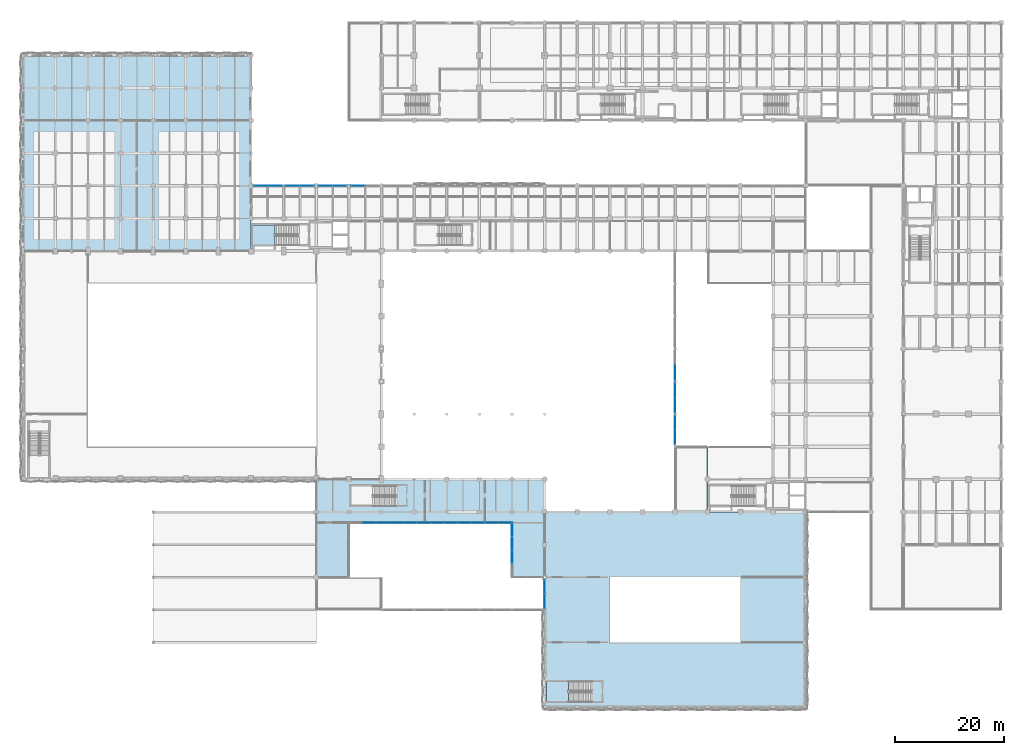
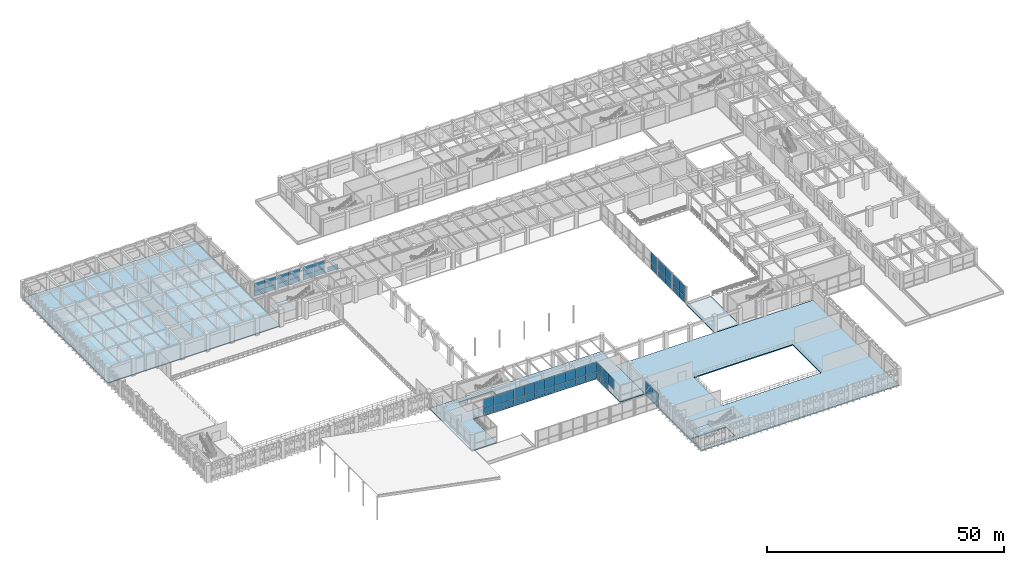
# One storey, part 89 of 133: 54 plates, 6 slabs, 12 elements without a shape of their own.
"""IFC4 building model written with IfcOpenShell, lengths in metres."""

from ifc_helpers import new_model, si_unit, direction, frame, frame_2d, origin, place, context, subcontext, project, spatial, polyline, rectangle, outline, extrude, material, layer, layer_set, type_object, element, aggregate, save


model = new_model("IFC4")

# Units and contexts
model_context = context("Model", 3, precision=1e-05, world=origin(), true_north=direction((0.0, 1.0)))
body_context = subcontext(model_context, "Body", "Model", "MODEL_VIEW")
ifc_project = project(units=[si_unit("LENGTHUNIT", "METRE"), si_unit("AREAUNIT", "SQUARE_METRE"), si_unit("VOLUMEUNIT", "CUBIC_METRE"), si_unit("PLANEANGLEUNIT", "RADIAN"), si_unit("MASSUNIT", "GRAM", prefix="KILO"), si_unit("THERMODYNAMICTEMPERATUREUNIT", "KELVIN"), si_unit("POWERUNIT", "WATT")], contexts=[model_context])

# Site, building, storey
site_placement = place(None, origin())
site = spatial("IfcSite", under=ifc_project, at=site_placement, CompositionType="ELEMENT")
building_placement = place(site_placement, origin())
building = spatial("IfcBuilding", under=site, at=building_placement, Name="Phaisarnlok Congress Hotel", CompositionType="ELEMENT")
storey_placement = place(building_placement, frame((0.0, 0.0, 6.0)))
storey = spatial("IfcBuildingStorey", under=building, at=storey_placement, Name="L01", CompositionType="ELEMENT", Elevation=6.0)

# Curtain wall, plates
ifc_material_1 = material(Name="Thermally Broken Unitised Aluminium & Low-E Glazing", Category="aluminium")
curtain_wall_type_1 = type_object("IfcCurtainWallType", Name="CW-UNIT-08", PredefinedType="NOTDEFINED", material=ifc_material_1)
curtain_wall_1_placement = place(storey_placement, origin())
curtain_wall_1 = element("IfcCurtainWall", 1, at=curtain_wall_1_placement, inside=storey, type_object=curtain_wall_type_1, Name="Unitised curtain wall CW-08 (L01)", PredefinedType="NOTDEFINED")
ifc_material_2 = material(Name="Triple Acoustic Solar-Control Glazing", Category="glass")
ifc_layer_1 = layer(ifc_material_2, 0.035888671875, Name="Triple Acoustic Solar-Control Glazing")
ifc_layer_set_1 = layer_set([ifc_layer_1], Name="Triple Acoustic Solar-Control Glazing")
plate_type = type_object("IfcPlateType", Name="CWP-GLZ-36", PredefinedType="CURTAIN_PANEL", material=ifc_layer_set_1)
plate_1_placement = place(storey_placement, frame((90.0, 33.97998046875, 0.0400390625), z_axis=(0.0, 0.0, 1.0), x_axis=(0.0, -1.0, 0.0)))
plate_1 = element("IfcPlate", 2, at=plate_1_placement, type_object=plate_type, Name="Glazed curtain panel CWP-02", PredefinedType="CURTAIN_PANEL", context=body_context, shape_type="SweptSolid", body=[
    extrude(rectangle(XDim=2.465087890625, YDim=0.028076171875, at=frame_2d((1.232421875, 0.0))), origin(), (0.0, 0.0, 1.0), 1.5634765625),
])
plate_2_placement = place(storey_placement, frame((90.0, 33.97998046875, 1.603515625), z_axis=(0.0, 0.0, 1.0), x_axis=(0.0, -1.0, 0.0)))
plate_2 = element("IfcPlate", 3, at=plate_2_placement, type_object=plate_type, Name="Glazed curtain panel CWP-02", PredefinedType="CURTAIN_PANEL", context=body_context, shape_type="SweptSolid", body=[
    extrude(rectangle(XDim=2.465087890625, YDim=0.028076171875, at=frame_2d((1.232421875, 0.0))), origin(), (0.0, 0.0, 1.0), 2.576416015625),
])
plate_3_placement = place(storey_placement, frame((90.0, 31.485107421875, 0.0400390625), z_axis=(0.0, 0.0, 1.0), x_axis=(0.0, -1.0, 0.0)))
plate_3 = element("IfcPlate", 4, at=plate_3_placement, type_object=plate_type, Name="Glazed curtain panel CWP-02", PredefinedType="CURTAIN_PANEL", context=body_context, shape_type="SweptSolid", body=[
    extrude(rectangle(XDim=2.47021484375, YDim=0.028076171875, at=frame_2d((1.235107421875, 0.0))), origin(), (0.0, 0.0, 1.0), 1.5634765625),
])
plate_4_placement = place(storey_placement, frame((90.0, 31.485107421875, 1.603515625), z_axis=(0.0, 0.0, 1.0), x_axis=(0.0, -1.0, 0.0)))
plate_4 = element("IfcPlate", 5, at=plate_4_placement, type_object=plate_type, Name="Glazed curtain panel CWP-02", PredefinedType="CURTAIN_PANEL", context=body_context, shape_type="SweptSolid", body=[
    extrude(rectangle(XDim=2.47021484375, YDim=0.028076171875, at=frame_2d((1.235107421875, 0.0))), origin(), (0.0, 0.0, 1.0), 2.576416015625),
])
plate_5_placement = place(storey_placement, frame((90.0, 28.985107421875, 1.603515625), z_axis=(0.0, 0.0, 1.0), x_axis=(0.0, -1.0, 0.0)))
plate_5 = element("IfcPlate", 6, at=plate_5_placement, type_object=plate_type, Name="Glazed curtain panel CWP-02", PredefinedType="CURTAIN_PANEL", context=body_context, shape_type="SweptSolid", body=[
    extrude(rectangle(XDim=2.47021484375, YDim=0.028076171875, at=frame_2d((1.235107421875, 0.0))), origin(), (0.0, 0.0, 1.0), 2.576416015625),
])
aggregate(curtain_wall_1, [plate_1, plate_2, plate_3, plate_4, plate_5])

curtain_wall_type_2 = type_object("IfcCurtainWallType", Name="CW-UNIT-10", PredefinedType="NOTDEFINED", material=ifc_material_1)
curtain_wall_2_placement = place(storey_placement, origin())
curtain_wall_2 = element("IfcCurtainWall", 7, at=curtain_wall_2_placement, inside=storey, type_object=curtain_wall_type_2, Name="Unitised curtain wall CW-10 (L01)", PredefinedType="NOTDEFINED")
plate_6_placement = place(storey_placement, frame((96.0, 23.52490234375, 0.0400390625), z_axis=(0.0, 0.0, 1.0), x_axis=(0.0, -1.0, 0.0)))
plate_6 = element("IfcPlate", 8, at=plate_6_placement, type_object=plate_type, Name="Glazed curtain panel CWP-02", PredefinedType="CURTAIN_PANEL", context=body_context, shape_type="SweptSolid", body=[
    extrude(rectangle(XDim=2.63330078125, YDim=0.028076171875, at=frame_2d((1.316650390625, 0.0))), origin(), (0.0, 0.0, 1.0), 1.278564453125),
])
plate_7_placement = place(storey_placement, frame((96.0, 23.52490234375, 1.318603515625), z_axis=(0.0, 0.0, 1.0), x_axis=(0.0, -1.0, 0.0)))
plate_7 = element("IfcPlate", 9, at=plate_7_placement, type_object=plate_type, Name="Glazed curtain panel CWP-02", PredefinedType="CURTAIN_PANEL", context=body_context, shape_type="SweptSolid", body=[
    extrude(rectangle(XDim=2.63330078125, YDim=0.028076171875, at=frame_2d((1.316650390625, 0.0))), origin(), (0.0, 0.0, 1.0), 2.111328125),
])
plate_8_placement = place(storey_placement, frame((96.0, 20.861572265625, 0.0400390625), z_axis=(0.0, 0.0, 1.0), x_axis=(0.0, -1.0, 0.0)))
plate_8 = element("IfcPlate", 10, at=plate_8_placement, type_object=plate_type, Name="Glazed curtain panel CWP-02", PredefinedType="CURTAIN_PANEL", context=body_context, shape_type="SweptSolid", body=[
    extrude(rectangle(XDim=2.63330078125, YDim=0.028076171875, at=frame_2d((1.316650390625, 0.0))), origin(), (0.0, 0.0, 1.0), 1.278564453125),
])
plate_9_placement = place(storey_placement, frame((96.0, 20.861572265625, 1.318603515625), z_axis=(0.0, 0.0, 1.0), x_axis=(0.0, -1.0, 0.0)))
plate_9 = element("IfcPlate", 11, at=plate_9_placement, type_object=plate_type, Name="Glazed curtain panel CWP-02", PredefinedType="CURTAIN_PANEL", context=body_context, shape_type="SweptSolid", body=[
    extrude(rectangle(XDim=2.63330078125, YDim=0.028076171875, at=frame_2d((1.316650390625, 0.0))), origin(), (0.0, 0.0, 1.0), 2.111328125),
])
aggregate(curtain_wall_2, [plate_6, plate_7, plate_8, plate_9])

# Curtain wall, plate
curtain_wall_type_3 = type_object("IfcCurtainWallType", Name="CW-UNIT-15", PredefinedType="NOTDEFINED", material=ifc_material_1)
curtain_wall_3_placement = place(storey_placement, origin())
curtain_wall_3 = element("IfcCurtainWall", 12, at=curtain_wall_3_placement, inside=storey, type_object=curtain_wall_type_3, Name="Unitised curtain wall CW-15 (L01)", PredefinedType="NOTDEFINED")
plate_10_placement = place(storey_placement, frame((62.9599609375, 96.0, 0.0400390625), z_axis=(0.0, 0.0, 1.0), x_axis=(-1.0, 0.0, 0.0)))
plate_10 = element("IfcPlate", 13, at=plate_10_placement, type_object=plate_type, Name="Glazed curtain panel CWP-02", PredefinedType="CURTAIN_PANEL", context=body_context, shape_type="SweptSolid", body=[
    extrude(rectangle(XDim=2.56005859375, YDim=0.028076171875, at=frame_2d((1.280029296875, 0.0))), origin(), (0.0, 0.0, 1.0), 1.278564453125),
])
aggregate(curtain_wall_3, [plate_10])

# Curtain wall, plates
curtain_wall_4_placement = place(storey_placement, origin())
curtain_wall_4 = element("IfcCurtainWall", 14, at=curtain_wall_4_placement, inside=storey, type_object=curtain_wall_type_3, Name="Unitised curtain wall CW-15 (L01)", PredefinedType="NOTDEFINED")
plate_11_placement = place(storey_placement, frame((59.60009765625, 96.0, 0.0400390625), z_axis=(0.0, 0.0, 1.0), x_axis=(-1.0, 0.0, 0.0)))
plate_11 = element("IfcPlate", 15, at=plate_11_placement, type_object=plate_type, Name="Glazed curtain panel CWP-02", PredefinedType="CURTAIN_PANEL", context=body_context, shape_type="SweptSolid", body=[
    extrude(rectangle(XDim=2.572509765625, YDim=0.028076171875, at=frame_2d((1.2861328125, 0.0))), origin(), (0.0, 0.0, 1.0), 1.278564453125),
])
plate_12_placement = place(storey_placement, frame((59.60009765625, 96.0, 1.318603515625), z_axis=(0.0, 0.0, 1.0), x_axis=(-1.0, 0.0, 0.0)))
plate_12 = element("IfcPlate", 16, at=plate_12_placement, type_object=plate_type, Name="Glazed curtain panel CWP-02", PredefinedType="CURTAIN_PANEL", context=body_context, shape_type="SweptSolid", body=[
    extrude(rectangle(XDim=2.572509765625, YDim=0.028076171875, at=frame_2d((1.2861328125, 0.0))), origin(), (0.0, 0.0, 1.0), 2.111328125),
])
plate_13_placement = place(storey_placement, frame((56.99755859375, 96.0, 0.0400390625), z_axis=(0.0, 0.0, 1.0), x_axis=(-1.0, 0.0, 0.0)))
plate_13 = element("IfcPlate", 17, at=plate_13_placement, type_object=plate_type, Name="Glazed curtain panel CWP-02", PredefinedType="CURTAIN_PANEL", context=body_context, shape_type="SweptSolid", body=[
    extrude(rectangle(XDim=2.572509765625, YDim=0.028076171875, at=frame_2d((1.2861328125, 0.0))), origin(), (0.0, 0.0, 1.0), 1.278564453125),
])
plate_14_placement = place(storey_placement, frame((56.99755859375, 96.0, 1.318603515625), z_axis=(0.0, 0.0, 1.0), x_axis=(-1.0, 0.0, 0.0)))
plate_14 = element("IfcPlate", 18, at=plate_14_placement, type_object=plate_type, Name="Glazed curtain panel CWP-02", PredefinedType="CURTAIN_PANEL", context=body_context, shape_type="SweptSolid", body=[
    extrude(rectangle(XDim=2.572509765625, YDim=0.028076171875, at=frame_2d((1.2861328125, 0.0))), origin(), (0.0, 0.0, 1.0), 2.111328125),
])
aggregate(curtain_wall_4, [plate_11, plate_12, plate_13, plate_14])

curtain_wall_type_4 = type_object("IfcCurtainWallType", Name="CW-UNIT-14", PredefinedType="NOTDEFINED", material=ifc_material_1)
curtain_wall_5_placement = place(storey_placement, origin())
curtain_wall_5 = element("IfcCurtainWall", 19, at=curtain_wall_5_placement, inside=storey, type_object=curtain_wall_type_4, Name="Unitised curtain wall CW-14 (L01)", PredefinedType="NOTDEFINED")
plate_15_placement = place(storey_placement, frame((53.574951171875, 96.0, 0.0400390625), z_axis=(0.0, 0.0, 1.0), x_axis=(-1.0, 0.0, 0.0)))
plate_15 = element("IfcPlate", 20, at=plate_15_placement, type_object=plate_type, Name="Glazed curtain panel CWP-02", PredefinedType="CURTAIN_PANEL", context=body_context, shape_type="SweptSolid", body=[
    extrude(rectangle(XDim=2.65966796875, YDim=0.028076171875, at=frame_2d((1.329833984375, 0.0))), origin(), (0.0, 0.0, 1.0), 1.278564453125),
])
plate_16_placement = place(storey_placement, frame((53.574951171875, 96.0, 1.318603515625), z_axis=(0.0, 0.0, 1.0), x_axis=(-1.0, 0.0, 0.0)))
plate_16 = element("IfcPlate", 21, at=plate_16_placement, type_object=plate_type, Name="Glazed curtain panel CWP-02", PredefinedType="CURTAIN_PANEL", context=body_context, shape_type="SweptSolid", body=[
    extrude(rectangle(XDim=2.65966796875, YDim=0.028076171875, at=frame_2d((1.329833984375, 0.0))), origin(), (0.0, 0.0, 1.0), 2.111328125),
])
plate_17_placement = place(storey_placement, frame((50.88525390625, 96.0, 0.0400390625), z_axis=(0.0, 0.0, 1.0), x_axis=(-1.0, 0.0, 0.0)))
plate_17 = element("IfcPlate", 22, at=plate_17_placement, type_object=plate_type, Name="Glazed curtain panel CWP-02", PredefinedType="CURTAIN_PANEL", context=body_context, shape_type="SweptSolid", body=[
    extrude(rectangle(XDim=2.65966796875, YDim=0.028076171875, at=frame_2d((1.329833984375, 0.0))), origin(), (0.0, 0.0, 1.0), 1.278564453125),
])
plate_18_placement = place(storey_placement, frame((50.88525390625, 96.0, 1.318603515625), z_axis=(0.0, 0.0, 1.0), x_axis=(-1.0, 0.0, 0.0)))
plate_18 = element("IfcPlate", 23, at=plate_18_placement, type_object=plate_type, Name="Glazed curtain panel CWP-02", PredefinedType="CURTAIN_PANEL", context=body_context, shape_type="SweptSolid", body=[
    extrude(rectangle(XDim=2.65966796875, YDim=0.028076171875, at=frame_2d((1.329833984375, 0.0))), origin(), (0.0, 0.0, 1.0), 2.111328125),
])
aggregate(curtain_wall_5, [plate_15, plate_16, plate_17, plate_18])

curtain_wall_type_5 = type_object("IfcCurtainWallType", Name="CW-UNIT-13", PredefinedType="NOTDEFINED", material=ifc_material_1)
curtain_wall_6_placement = place(storey_placement, origin())
curtain_wall_6 = element("IfcCurtainWall", 24, at=curtain_wall_6_placement, inside=storey, type_object=curtain_wall_type_5, Name="Unitised curtain wall CW-13 (L01)", PredefinedType="NOTDEFINED")
plate_19_placement = place(storey_placement, frame((47.7744140625, 96.0, 0.0400390625), z_axis=(0.0, 0.0, 1.0), x_axis=(-1.0, 0.0, 0.0)))
plate_19 = element("IfcPlate", 25, at=plate_19_placement, type_object=plate_type, Name="Glazed curtain panel CWP-02", PredefinedType="CURTAIN_PANEL", context=body_context, shape_type="SweptSolid", body=[
    extrude(rectangle(XDim=2.609619140625, YDim=0.028076171875, at=frame_2d((1.3046875, 0.0))), origin(), (0.0, 0.0, 1.0), 1.278564453125),
])
plate_20_placement = place(storey_placement, frame((47.7744140625, 96.0, 1.318603515625), z_axis=(0.0, 0.0, 1.0), x_axis=(-1.0, 0.0, 0.0)))
plate_20 = element("IfcPlate", 26, at=plate_20_placement, type_object=plate_type, Name="Glazed curtain panel CWP-02", PredefinedType="CURTAIN_PANEL", context=body_context, shape_type="SweptSolid", body=[
    extrude(rectangle(XDim=2.609619140625, YDim=0.028076171875, at=frame_2d((1.3046875, 0.0))), origin(), (0.0, 0.0, 1.0), 2.111328125),
])
plate_21_placement = place(storey_placement, frame((45.134765625, 96.0, 0.0400390625), z_axis=(0.0, 0.0, 1.0), x_axis=(-1.0, 0.0, 0.0)))
plate_21 = element("IfcPlate", 27, at=plate_21_placement, type_object=plate_type, Name="Glazed curtain panel CWP-02", PredefinedType="CURTAIN_PANEL", context=body_context, shape_type="SweptSolid", body=[
    extrude(rectangle(XDim=2.60986328125, YDim=0.028076171875, at=frame_2d((1.304931640625, 0.0))), origin(), (0.0, 0.0, 1.0), 1.278564453125),
])
plate_22_placement = place(storey_placement, frame((45.134765625, 96.0, 1.318603515625), z_axis=(0.0, 0.0, 1.0), x_axis=(-1.0, 0.0, 0.0)))
plate_22 = element("IfcPlate", 28, at=plate_22_placement, type_object=plate_type, Name="Glazed curtain panel CWP-02", PredefinedType="CURTAIN_PANEL", context=body_context, shape_type="SweptSolid", body=[
    extrude(rectangle(XDim=2.60986328125, YDim=0.028076171875, at=frame_2d((1.304931640625, 0.0))), origin(), (0.0, 0.0, 1.0), 2.111328125),
])
aggregate(curtain_wall_6, [plate_19, plate_20, plate_21, plate_22])

curtain_wall_type_6 = type_object("IfcCurtainWallType", Name="CW-UNIT-22", PredefinedType="NOTDEFINED", material=ifc_material_1)
curtain_wall_7_placement = place(storey_placement, origin())
curtain_wall_7 = element("IfcCurtainWall", 29, at=curtain_wall_7_placement, inside=storey, type_object=curtain_wall_type_6, Name="Unitised curtain wall CW-22 (L01)", PredefinedType="NOTDEFINED")
plate_23_placement = place(storey_placement, frame((62.514892578125, 34.0, 0.0400390625), z_axis=(0.0, 0.0, 1.0), x_axis=(1.0, 0.0, 0.0)))
plate_23 = element("IfcPlate", 30, at=plate_23_placement, type_object=plate_type, Name="Glazed curtain panel CWP-02", PredefinedType="CURTAIN_PANEL", context=body_context, shape_type="SweptSolid", body=[
    extrude(rectangle(XDim=2.47021484375, YDim=0.028076171875, at=frame_2d((1.235107421875, 0.0))), origin(), (0.0, 0.0, 1.0), 1.5634765625),
])
plate_24_placement = place(storey_placement, frame((62.514892578125, 34.0, 1.603515625), z_axis=(0.0, 0.0, 1.0), x_axis=(1.0, 0.0, 0.0)))
plate_24 = element("IfcPlate", 31, at=plate_24_placement, type_object=plate_type, Name="Glazed curtain panel CWP-02", PredefinedType="CURTAIN_PANEL", context=body_context, shape_type="SweptSolid", body=[
    extrude(rectangle(XDim=2.47021484375, YDim=0.028076171875, at=frame_2d((1.235107421875, 0.0))), origin(), (0.0, 0.0, 1.0), 2.576416015625),
])
plate_25_placement = place(storey_placement, frame((65.014892578125, 34.0, 0.0400390625), z_axis=(0.0, 0.0, 1.0), x_axis=(1.0, 0.0, 0.0)))
plate_25 = element("IfcPlate", 32, at=plate_25_placement, type_object=plate_type, Name="Glazed curtain panel CWP-02", PredefinedType="CURTAIN_PANEL", context=body_context, shape_type="SweptSolid", body=[
    extrude(rectangle(XDim=2.47021484375, YDim=0.028076171875, at=frame_2d((1.235107421875, 0.0))), origin(), (0.0, 0.0, 1.0), 1.5634765625),
])
plate_26_placement = place(storey_placement, frame((65.014892578125, 34.0, 1.603515625), z_axis=(0.0, 0.0, 1.0), x_axis=(1.0, 0.0, 0.0)))
plate_26 = element("IfcPlate", 33, at=plate_26_placement, type_object=plate_type, Name="Glazed curtain panel CWP-02", PredefinedType="CURTAIN_PANEL", context=body_context, shape_type="SweptSolid", body=[
    extrude(rectangle(XDim=2.47021484375, YDim=0.028076171875, at=frame_2d((1.235107421875, 0.0))), origin(), (0.0, 0.0, 1.0), 2.576416015625),
])
plate_27_placement = place(storey_placement, frame((67.514892578125, 34.0, 0.0400390625), z_axis=(0.0, 0.0, 1.0), x_axis=(1.0, 0.0, 0.0)))
plate_27 = element("IfcPlate", 34, at=plate_27_placement, type_object=plate_type, Name="Glazed curtain panel CWP-02", PredefinedType="CURTAIN_PANEL", context=body_context, shape_type="SweptSolid", body=[
    extrude(rectangle(XDim=2.47021484375, YDim=0.028076171875, at=frame_2d((1.235107421875, 0.0))), origin(), (0.0, 0.0, 1.0), 1.5634765625),
])
plate_28_placement = place(storey_placement, frame((67.514892578125, 34.0, 1.603515625), z_axis=(0.0, 0.0, 1.0), x_axis=(1.0, 0.0, 0.0)))
plate_28 = element("IfcPlate", 35, at=plate_28_placement, type_object=plate_type, Name="Glazed curtain panel CWP-02", PredefinedType="CURTAIN_PANEL", context=body_context, shape_type="SweptSolid", body=[
    extrude(rectangle(XDim=2.47021484375, YDim=0.028076171875, at=frame_2d((1.235107421875, 0.0))), origin(), (0.0, 0.0, 1.0), 2.576416015625),
])
plate_29_placement = place(storey_placement, frame((70.014892578125, 34.0, 0.0400390625), z_axis=(0.0, 0.0, 1.0), x_axis=(1.0, 0.0, 0.0)))
plate_29 = element("IfcPlate", 36, at=plate_29_placement, type_object=plate_type, Name="Glazed curtain panel CWP-02", PredefinedType="CURTAIN_PANEL", context=body_context, shape_type="SweptSolid", body=[
    extrude(rectangle(XDim=2.47021484375, YDim=0.028076171875, at=frame_2d((1.235107421875, 0.0))), origin(), (0.0, 0.0, 1.0), 1.5634765625),
])
plate_30_placement = place(storey_placement, frame((70.014892578125, 34.0, 1.603515625), z_axis=(0.0, 0.0, 1.0), x_axis=(1.0, 0.0, 0.0)))
plate_30 = element("IfcPlate", 37, at=plate_30_placement, type_object=plate_type, Name="Glazed curtain panel CWP-02", PredefinedType="CURTAIN_PANEL", context=body_context, shape_type="SweptSolid", body=[
    extrude(rectangle(XDim=2.47021484375, YDim=0.028076171875, at=frame_2d((1.235107421875, 0.0))), origin(), (0.0, 0.0, 1.0), 2.576416015625),
])
plate_31_placement = place(storey_placement, frame((72.514892578125, 34.0, 0.0400390625), z_axis=(0.0, 0.0, 1.0), x_axis=(1.0, 0.0, 0.0)))
plate_31 = element("IfcPlate", 38, at=plate_31_placement, type_object=plate_type, Name="Glazed curtain panel CWP-02", PredefinedType="CURTAIN_PANEL", context=body_context, shape_type="SweptSolid", body=[
    extrude(rectangle(XDim=2.47021484375, YDim=0.028076171875, at=frame_2d((1.235107421875, 0.0))), origin(), (0.0, 0.0, 1.0), 1.5634765625),
])
plate_32_placement = place(storey_placement, frame((72.514892578125, 34.0, 1.603515625), z_axis=(0.0, 0.0, 1.0), x_axis=(1.0, 0.0, 0.0)))
plate_32 = element("IfcPlate", 39, at=plate_32_placement, type_object=plate_type, Name="Glazed curtain panel CWP-02", PredefinedType="CURTAIN_PANEL", context=body_context, shape_type="SweptSolid", body=[
    extrude(rectangle(XDim=2.47021484375, YDim=0.028076171875, at=frame_2d((1.235107421875, 0.0))), origin(), (0.0, 0.0, 1.0), 2.576416015625),
])
plate_33_placement = place(storey_placement, frame((75.014892578125, 34.0, 0.0400390625), z_axis=(0.0, 0.0, 1.0), x_axis=(1.0, 0.0, 0.0)))
plate_33 = element("IfcPlate", 40, at=plate_33_placement, type_object=plate_type, Name="Glazed curtain panel CWP-02", PredefinedType="CURTAIN_PANEL", context=body_context, shape_type="SweptSolid", body=[
    extrude(rectangle(XDim=2.47021484375, YDim=0.028076171875, at=frame_2d((1.235107421875, 0.0))), origin(), (0.0, 0.0, 1.0), 1.5634765625),
])
plate_34_placement = place(storey_placement, frame((75.014892578125, 34.0, 1.603515625), z_axis=(0.0, 0.0, 1.0), x_axis=(1.0, 0.0, 0.0)))
plate_34 = element("IfcPlate", 41, at=plate_34_placement, type_object=plate_type, Name="Glazed curtain panel CWP-02", PredefinedType="CURTAIN_PANEL", context=body_context, shape_type="SweptSolid", body=[
    extrude(rectangle(XDim=2.47021484375, YDim=0.028076171875, at=frame_2d((1.235107421875, 0.0))), origin(), (0.0, 0.0, 1.0), 2.576416015625),
])
plate_35_placement = place(storey_placement, frame((77.514892578125, 34.0, 0.0400390625), z_axis=(0.0, 0.0, 1.0), x_axis=(1.0, 0.0, 0.0)))
plate_35 = element("IfcPlate", 42, at=plate_35_placement, type_object=plate_type, Name="Glazed curtain panel CWP-02", PredefinedType="CURTAIN_PANEL", context=body_context, shape_type="SweptSolid", body=[
    extrude(rectangle(XDim=2.47021484375, YDim=0.028076171875, at=frame_2d((1.235107421875, 0.0))), origin(), (0.0, 0.0, 1.0), 1.5634765625),
])
plate_36_placement = place(storey_placement, frame((77.514892578125, 34.0, 1.603515625), z_axis=(0.0, 0.0, 1.0), x_axis=(1.0, 0.0, 0.0)))
plate_36 = element("IfcPlate", 43, at=plate_36_placement, type_object=plate_type, Name="Glazed curtain panel CWP-02", PredefinedType="CURTAIN_PANEL", context=body_context, shape_type="SweptSolid", body=[
    extrude(rectangle(XDim=2.47021484375, YDim=0.028076171875, at=frame_2d((1.235107421875, 0.0))), origin(), (0.0, 0.0, 1.0), 2.576416015625),
])
plate_37_placement = place(storey_placement, frame((80.014892578125, 34.0, 0.0400390625), z_axis=(0.0, 0.0, 1.0), x_axis=(1.0, 0.0, 0.0)))
plate_37 = element("IfcPlate", 44, at=plate_37_placement, type_object=plate_type, Name="Glazed curtain panel CWP-02", PredefinedType="CURTAIN_PANEL", context=body_context, shape_type="SweptSolid", body=[
    extrude(rectangle(XDim=2.47021484375, YDim=0.028076171875, at=frame_2d((1.235107421875, 0.0))), origin(), (0.0, 0.0, 1.0), 1.5634765625),
])
plate_38_placement = place(storey_placement, frame((80.014892578125, 34.0, 1.603515625), z_axis=(0.0, 0.0, 1.0), x_axis=(1.0, 0.0, 0.0)))
plate_38 = element("IfcPlate", 45, at=plate_38_placement, type_object=plate_type, Name="Glazed curtain panel CWP-02", PredefinedType="CURTAIN_PANEL", context=body_context, shape_type="SweptSolid", body=[
    extrude(rectangle(XDim=2.47021484375, YDim=0.028076171875, at=frame_2d((1.235107421875, 0.0))), origin(), (0.0, 0.0, 1.0), 2.576416015625),
])
plate_39_placement = place(storey_placement, frame((82.514892578125, 34.0, 0.0400390625), z_axis=(0.0, 0.0, 1.0), x_axis=(1.0, 0.0, 0.0)))
plate_39 = element("IfcPlate", 46, at=plate_39_placement, type_object=plate_type, Name="Glazed curtain panel CWP-02", PredefinedType="CURTAIN_PANEL", context=body_context, shape_type="SweptSolid", body=[
    extrude(rectangle(XDim=2.47021484375, YDim=0.028076171875, at=frame_2d((1.235107421875, 0.0))), origin(), (0.0, 0.0, 1.0), 1.5634765625),
])
plate_40_placement = place(storey_placement, frame((82.514892578125, 34.0, 1.603515625), z_axis=(0.0, 0.0, 1.0), x_axis=(1.0, 0.0, 0.0)))
plate_40 = element("IfcPlate", 47, at=plate_40_placement, type_object=plate_type, Name="Glazed curtain panel CWP-02", PredefinedType="CURTAIN_PANEL", context=body_context, shape_type="SweptSolid", body=[
    extrude(rectangle(XDim=2.47021484375, YDim=0.028076171875, at=frame_2d((1.235107421875, 0.0))), origin(), (0.0, 0.0, 1.0), 2.576416015625),
])
plate_41_placement = place(storey_placement, frame((85.014892578125, 34.0, 0.0400390625), z_axis=(0.0, 0.0, 1.0), x_axis=(1.0, 0.0, 0.0)))
plate_41 = element("IfcPlate", 48, at=plate_41_placement, type_object=plate_type, Name="Glazed curtain panel CWP-02", PredefinedType="CURTAIN_PANEL", context=body_context, shape_type="SweptSolid", body=[
    extrude(rectangle(XDim=2.47021484375, YDim=0.028076171875, at=frame_2d((1.235107421875, 0.0))), origin(), (0.0, 0.0, 1.0), 1.5634765625),
])
plate_42_placement = place(storey_placement, frame((85.014892578125, 34.0, 1.603515625), z_axis=(0.0, 0.0, 1.0), x_axis=(1.0, 0.0, 0.0)))
plate_42 = element("IfcPlate", 49, at=plate_42_placement, type_object=plate_type, Name="Glazed curtain panel CWP-02", PredefinedType="CURTAIN_PANEL", context=body_context, shape_type="SweptSolid", body=[
    extrude(rectangle(XDim=2.47021484375, YDim=0.028076171875, at=frame_2d((1.235107421875, 0.0))), origin(), (0.0, 0.0, 1.0), 2.576416015625),
])
plate_43_placement = place(storey_placement, frame((87.514892578125, 34.0, 0.0400390625), z_axis=(0.0, 0.0, 1.0), x_axis=(1.0, 0.0, 0.0)))
plate_43 = element("IfcPlate", 50, at=plate_43_placement, type_object=plate_type, Name="Glazed curtain panel CWP-02", PredefinedType="CURTAIN_PANEL", context=body_context, shape_type="SweptSolid", body=[
    extrude(rectangle(XDim=2.465087890625, YDim=0.028076171875, at=frame_2d((1.232421875, 0.0))), origin(), (0.0, 0.0, 1.0), 1.5634765625),
])
plate_44_placement = place(storey_placement, frame((87.514892578125, 34.0, 1.603515625), z_axis=(0.0, 0.0, 1.0), x_axis=(1.0, 0.0, 0.0)))
plate_44 = element("IfcPlate", 51, at=plate_44_placement, type_object=plate_type, Name="Glazed curtain panel CWP-02", PredefinedType="CURTAIN_PANEL", context=body_context, shape_type="SweptSolid", body=[
    extrude(rectangle(XDim=2.465087890625, YDim=0.028076171875, at=frame_2d((1.232421875, 0.0))), origin(), (0.0, 0.0, 1.0), 2.576416015625),
])
aggregate(curtain_wall_7, [plate_23, plate_24, plate_25, plate_26, plate_27, plate_28, plate_29, plate_30, plate_31, plate_32, plate_33, plate_34, plate_35, plate_36, plate_37, plate_38, plate_39, plate_40, plate_41, plate_42, plate_43, plate_44])

curtain_wall_type_7 = type_object("IfcCurtainWallType", Name="CW-UNIT-40", PredefinedType="NOTDEFINED", material=ifc_material_1)
curtain_wall_8_placement = place(storey_placement, origin())
curtain_wall_8 = element("IfcCurtainWall", 52, at=curtain_wall_8_placement, inside=storey, type_object=curtain_wall_type_7, Name="Unitised curtain wall CW-40 (L01)", PredefinedType="NOTDEFINED")
plate_45_placement = place(storey_placement, frame((120.0, 53.739990234375, 0.02001953125), z_axis=(0.0, 0.0, 1.0), x_axis=(0.0, -1.0, 0.0)))
plate_45 = element("IfcPlate", 53, at=plate_45_placement, type_object=plate_type, Name="Glazed curtain panel CWP-02", PredefinedType="CURTAIN_PANEL", context=body_context, shape_type="SweptSolid", body=[
    extrude(rectangle(XDim=2.614990234375, YDim=0.028076171875, at=frame_2d((1.3076171875, 0.0))), origin(), (0.0, 0.0, 1.0), 1.681396484375),
])
plate_46_placement = place(storey_placement, frame((120.0, 53.739990234375, 1.701416015625), z_axis=(0.0, 0.0, 1.0), x_axis=(0.0, -1.0, 0.0)))
plate_46 = element("IfcPlate", 54, at=plate_46_placement, type_object=plate_type, Name="Glazed curtain panel CWP-02", PredefinedType="CURTAIN_PANEL", context=body_context, shape_type="SweptSolid", body=[
    extrude(rectangle(XDim=2.614990234375, YDim=0.028076171875, at=frame_2d((1.3076171875, 0.0))), origin(), (0.0, 0.0, 1.0), 2.7685546875),
])
plate_47_placement = place(storey_placement, frame((120.0, 51.094970703125, 0.02001953125), z_axis=(0.0, 0.0, 1.0), x_axis=(0.0, -1.0, 0.0)))
plate_47 = element("IfcPlate", 55, at=plate_47_placement, type_object=plate_type, Name="Glazed curtain panel CWP-02", PredefinedType="CURTAIN_PANEL", context=body_context, shape_type="SweptSolid", body=[
    extrude(rectangle(XDim=2.614990234375, YDim=0.028076171875, at=frame_2d((1.3076171875, 0.0))), origin(), (0.0, 0.0, 1.0), 1.681396484375),
])
plate_48_placement = place(storey_placement, frame((120.0, 51.094970703125, 1.701416015625), z_axis=(0.0, 0.0, 1.0), x_axis=(0.0, -1.0, 0.0)))
plate_48 = element("IfcPlate", 56, at=plate_48_placement, type_object=plate_type, Name="Glazed curtain panel CWP-02", PredefinedType="CURTAIN_PANEL", context=body_context, shape_type="SweptSolid", body=[
    extrude(rectangle(XDim=2.614990234375, YDim=0.028076171875, at=frame_2d((1.3076171875, 0.0))), origin(), (0.0, 0.0, 1.0), 2.7685546875),
])
aggregate(curtain_wall_8, [plate_45, plate_46, plate_47, plate_48])

curtain_wall_type_8 = type_object("IfcCurtainWallType", Name="CW-UNIT-43", PredefinedType="NOTDEFINED", material=ifc_material_1)
curtain_wall_9_placement = place(storey_placement, origin())
curtain_wall_9 = element("IfcCurtainWall", 57, at=curtain_wall_9_placement, inside=storey, type_object=curtain_wall_type_8, Name="Unitised curtain wall CW-43 (L01)", PredefinedType="NOTDEFINED")
plate_49_placement = place(storey_placement, frame((120.0, 59.739990234375, 0.02001953125), z_axis=(0.0, 0.0, 1.0), x_axis=(0.0, -1.0, 0.0)))
plate_49 = element("IfcPlate", 58, at=plate_49_placement, type_object=plate_type, Name="Glazed curtain panel CWP-02", PredefinedType="CURTAIN_PANEL", context=body_context, shape_type="SweptSolid", body=[
    extrude(rectangle(XDim=2.72509765625, YDim=0.028076171875, at=frame_2d((1.362548828125, 0.0))), origin(), (0.0, 0.0, 1.0), 1.681396484375),
])
plate_50_placement = place(storey_placement, frame((120.0, 59.739990234375, 1.701416015625), z_axis=(0.0, 0.0, 1.0), x_axis=(0.0, -1.0, 0.0)))
plate_50 = element("IfcPlate", 59, at=plate_50_placement, type_object=plate_type, Name="Glazed curtain panel CWP-02", PredefinedType="CURTAIN_PANEL", context=body_context, shape_type="SweptSolid", body=[
    extrude(rectangle(XDim=2.72509765625, YDim=0.028076171875, at=frame_2d((1.362548828125, 0.0))), origin(), (0.0, 0.0, 1.0), 2.7685546875),
])
plate_51_placement = place(storey_placement, frame((120.0, 56.985107421875, 0.02001953125), z_axis=(0.0, 0.0, 1.0), x_axis=(0.0, -1.0, 0.0)))
plate_51 = element("IfcPlate", 60, at=plate_51_placement, type_object=plate_type, Name="Glazed curtain panel CWP-02", PredefinedType="CURTAIN_PANEL", context=body_context, shape_type="SweptSolid", body=[
    extrude(rectangle(XDim=2.72509765625, YDim=0.028076171875, at=frame_2d((1.362548828125, 0.0))), origin(), (0.0, 0.0, 1.0), 1.681396484375),
])
plate_52_placement = place(storey_placement, frame((120.0, 56.985107421875, 1.701416015625), z_axis=(0.0, 0.0, 1.0), x_axis=(0.0, -1.0, 0.0)))
plate_52 = element("IfcPlate", 61, at=plate_52_placement, type_object=plate_type, Name="Glazed curtain panel CWP-02", PredefinedType="CURTAIN_PANEL", context=body_context, shape_type="SweptSolid", body=[
    extrude(rectangle(XDim=2.72509765625, YDim=0.028076171875, at=frame_2d((1.362548828125, 0.0))), origin(), (0.0, 0.0, 1.0), 2.7685546875),
])
aggregate(curtain_wall_9, [plate_49, plate_50, plate_51, plate_52])

curtain_wall_10_placement = place(storey_placement, origin())
curtain_wall_10 = element("IfcCurtainWall", 62, at=curtain_wall_10_placement, inside=storey, type_object=curtain_wall_type_8, Name="Unitised curtain wall CW-43 (L01)", PredefinedType="NOTDEFINED")
plate_53_placement = place(storey_placement, frame((120.0, 62.985107421875, 0.02001953125), z_axis=(0.0, 0.0, 1.0), x_axis=(0.0, -1.0, 0.0)))
plate_53 = element("IfcPlate", 63, at=plate_53_placement, type_object=plate_type, Name="Glazed curtain panel CWP-02", PredefinedType="CURTAIN_PANEL", context=body_context, shape_type="SweptSolid", body=[
    extrude(rectangle(XDim=2.72509765625, YDim=0.028076171875, at=frame_2d((1.362548828125, 0.0))), origin(), (0.0, 0.0, 1.0), 1.681396484375),
])
plate_54_placement = place(storey_placement, frame((120.0, 62.985107421875, 1.701416015625), z_axis=(0.0, 0.0, 1.0), x_axis=(0.0, -1.0, 0.0)))
plate_54 = element("IfcPlate", 64, at=plate_54_placement, type_object=plate_type, Name="Glazed curtain panel CWP-02", PredefinedType="CURTAIN_PANEL", context=body_context, shape_type="SweptSolid", body=[
    extrude(rectangle(XDim=2.72509765625, YDim=0.028076171875, at=frame_2d((1.362548828125, 0.0))), origin(), (0.0, 0.0, 1.0), 2.7685546875),
])
aggregate(curtain_wall_10, [plate_53, plate_54])

# Slabs
ifc_material_3 = material(Name="Concrete C40/50", Category="concrete")
ifc_layer_2 = layer(ifc_material_3, 0.260009765625, Name="Concrete C40/50")
ifc_layer_set_2 = layer_set([ifc_layer_2], Name="Concrete C40/50")
slab_type_1 = type_object("IfcSlabType", Name="SLB-INT-260", PredefinedType="FLOOR", material=ifc_layer_set_2)
slab_1_placement = place(storey_placement, frame((0.0, 0.0, -0.260009765625)))
element("IfcSlab", 65, at=slab_1_placement, inside=storey, type_object=slab_type_1, Name="Floor slab SL-INT-260 (L01 v2)", PredefinedType="FLOOR", context=body_context, shape_type="SweptSolid", body=[
    extrude(outline(polyline([(144.0, 0.0), (144.0, 36.0), (96.0, 36.0), (96.0, 0.0), (144.0, 0.0)]), holes=[polyline([(108.0, 12.0), (132.0, 12.0), (132.0, 24.0), (108.0, 24.0), (108.0, 12.0)]), polyline([(104.719970703125, 4.800048828125), (96.300048828125, 4.800048828125), (96.300048828125, 1.0), (104.719970703125, 1.0), (104.719970703125, 4.800048828125)])]), origin(), (0.0, 0.0, 1.0), 0.260009765625),
])
slab_2_placement = place(storey_placement, frame((0.0, 0.0, -0.260009765625)))
element("IfcSlab", 66, at=slab_2_placement, inside=storey, type_object=slab_type_1, Name="Floor slab SL-INT-260 (L01 v3)", PredefinedType="FLOOR", context=body_context, shape_type="SweptSolid", body=[
    extrude(outline(polyline([(42.0, 84.0), (42.0, 120.0), (0.0, 120.0), (0.0, 84.0), (42.0, 84.0)])), origin(), (0.0, 0.0, 1.0), 0.260009765625),
])
slab_3_placement = place(storey_placement, frame((0.0, 0.0, -0.260009765625)))
element("IfcSlab", 67, at=slab_3_placement, inside=storey, type_object=slab_type_1, Name="Floor slab SL-INT-260 (L01 v4_s)", PredefinedType="FLOOR", context=body_context, shape_type="SweptSolid", body=[
    extrude(outline(polyline([(54.0, 24.0), (54.0, 42.0), (96.0, 42.0), (96.0, 24.0), (90.0, 24.0), (90.0, 34.0), (60.0, 34.0), (60.0, 24.0), (54.0, 24.0)]), holes=[polyline([(68.719970703125, 40.800048828125), (60.300048828125, 40.800048828125), (60.300048828125, 37.0), (68.719970703125, 37.0), (68.719970703125, 40.800048828125)])]), origin(), (0.0, 0.0, 1.0), 0.260009765625),
])

# Stair, slab
stair_type = type_object("IfcStairType", Name="STR-DOG-03", PredefinedType="HALF_TURN_STAIR", material=ifc_material_3)
stair_1_placement = place(storey_placement, origin())
stair_1 = element("IfcStair", 68, at=stair_1_placement, inside=storey, type_object=stair_type, Name="L01 ST-01", PredefinedType="HALF_TURN_STAIR")
ifc_layer_3 = layer(ifc_material_3, 0.199951171875, Name="Concrete C40/50")
ifc_layer_set_3 = layer_set([ifc_layer_3], Name="Concrete C40/50")
slab_type_2 = type_object("IfcSlabType", Name="SLB-LND-200", PredefinedType="LANDING", material=ifc_layer_set_3)
slab_4_placement = place(storey_placement, frame((0.0, 0.0, 2.050048828125)))
slab_4 = element("IfcSlab", 69, at=slab_4_placement, type_object=slab_type_2, Name="ST-01 landing 1", PredefinedType="LANDING", context=body_context, shape_type="SweptSolid", body=[
    extrude(outline(polyline([(46.3798828125, 88.800048828125), (42.300048828125, 88.800048828125), (42.300048828125, 85.0), (46.3798828125, 85.0), (46.3798828125, 88.800048828125)])), origin(), (0.0, 0.0, 1.0), 0.199951171875),
])
aggregate(stair_1, [slab_4])

stair_2_placement = place(storey_placement, origin())
stair_2 = element("IfcStair", 70, at=stair_2_placement, inside=storey, type_object=stair_type, Name="L01 ST-04", PredefinedType="HALF_TURN_STAIR")
slab_5_placement = place(storey_placement, frame((0.0, 0.0, 2.050048828125)))
slab_5 = element("IfcSlab", 71, at=slab_5_placement, type_object=slab_type_2, Name="ST-04 landing 1", PredefinedType="LANDING", context=body_context, shape_type="SweptSolid", body=[
    extrude(outline(polyline([(100.3798828125, 4.800048828125), (96.300048828125, 4.800048828125), (96.300048828125, 1.0), (100.3798828125, 1.0), (100.3798828125, 4.800048828125)])), origin(), (0.0, 0.0, 1.0), 0.199951171875),
])
aggregate(stair_2, [slab_5])

# Slab
ifc_layer_4 = layer(ifc_material_3, 0.239990234375, Name="Concrete C40/50")
ifc_layer_set_4 = layer_set([ifc_layer_4], Name="Concrete C40/50")
slab_type_3 = type_object("IfcSlabType", Name="SLB-ROOF-240", PredefinedType="ROOF", material=ifc_layer_set_4)
slab_6_placement = place(storey_placement, frame((0.0, 0.0, -0.239990234375)))
element("IfcSlab", 72, at=slab_6_placement, inside=storey, type_object=slab_type_3, Name="Podium setback roof slab SL-ROOF-240 (L01 pod_foyer_se)", PredefinedType="ROOF", context=body_context, shape_type="SweptSolid", body=[
    extrude(outline(polyline([(120.0, 36.0), (126.0, 36.0), (126.0, 48.0), (120.0, 48.0), (120.0, 36.0)])), origin(), (0.0, 0.0, 1.0), 0.239990234375),
])

save(model, "model.ifc")
